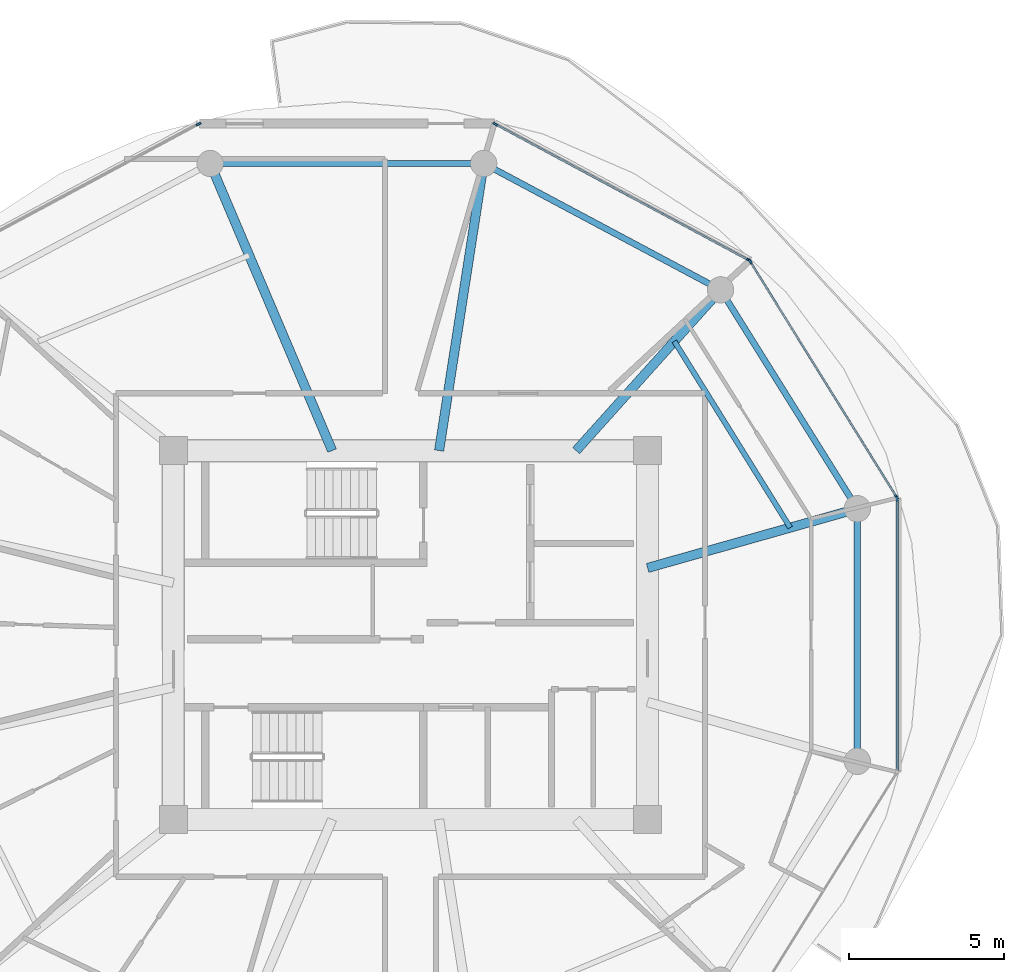
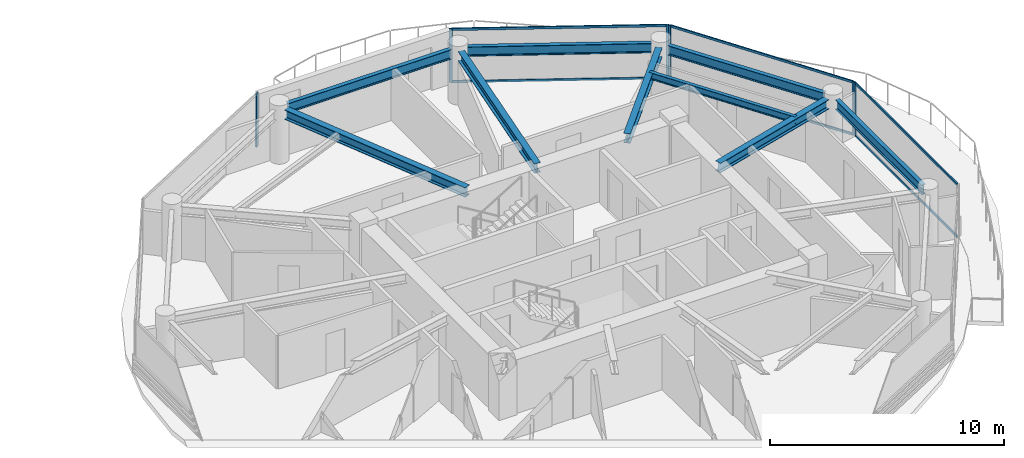
# One storey, part 11 of 24: 12 members, 9 beams, 4 elements without a shape of their own.
"""IFC4 building model written with IfcOpenShell, lengths in metres."""

import ifcopenshell
import ifcopenshell.guid

model = None  # the IFC model being written
_history = None  # IfcOwnerHistory: only IFC2X3 demands one
_inside = {}  # id of a spatial element -> (the spatial element, [elements in it])
_under = {}  # id of a project, library or spatial element -> (it, [spatial elements below it])
_declared = {}  # id of a project -> (the project, [libraries it declares])
_typed = {}  # id of a type object -> (the type object, [elements of that type])
_made_of = {}  # id of a material, layer set ... -> (it, [elements and type objects made of it])


def new_model(schema):
    """Start an empty IFC model of exactly this schema.

    Asked for "IFC4X3", IfcOpenShell would pick the latest addendum, in which some entities
    have other attributes; the version numbers below select the first issue.
    IFC2X3 requires an IfcOwnerHistory on every rooted entity: one is made here for all.
    """
    global model, _history
    if schema == "IFC4X3":
        model = ifcopenshell.file(schema_version=(4, 3, 0, 0))
    else:
        model = ifcopenshell.file(schema=schema)
    _inside.clear()
    _under.clear()
    _declared.clear()
    _typed.clear()
    _made_of.clear()
    _history = None
    if model.schema == "IFC2X3":
        org = make("IfcOrganization", Name="unknown")
        user = make(
            "IfcPersonAndOrganization",
            ThePerson=make("IfcPerson", FamilyName="unknown"),
            TheOrganization=org,
        )
        app = make(
            "IfcApplication",
            ApplicationDeveloper=org,
            Version="unknown",
            ApplicationFullName="unknown",
            ApplicationIdentifier="unknown",
        )
        _history = make(
            "IfcOwnerHistory",
            OwningUser=user,
            OwningApplication=app,
            ChangeAction="ADDED",
            CreationDate=0,
        )
    return model


def make(cls, **values):
    """One entity of the class cls with the attributes given. An attribute that is None is left unset."""
    return model.create_entity(
        cls, **{name: value for name, value in values.items() if value is not None}
    )


def rooted(cls, **values):
    """An entity with a GlobalId (a new one), such as an element, a storey or a relation."""
    return make(cls, GlobalId=ifcopenshell.guid.new(), OwnerHistory=_history, **values)


def si_unit(unit_type, name, prefix=None):
    """IfcSIUnit, for example si_unit("LENGTHUNIT", "METRE", prefix="MILLI")."""
    return make("IfcSIUnit", UnitType=unit_type, Prefix=prefix, Name=name)


def assignment(units):
    """IfcUnitAssignment: the units of a project."""
    return None if units is None else make("IfcUnitAssignment", Units=units)


def point(xyz):
    """IfcCartesianPoint."""
    return None if xyz is None else make("IfcCartesianPoint", Coordinates=xyz)


def direction(xyz):
    """IfcDirection."""
    return None if xyz is None else make("IfcDirection", DirectionRatios=xyz)


def frame(location, z_axis=None, x_axis=None):
    """IfcAxis2Placement3D, a coordinate frame: its origin and axes. An axis left out is left unset."""
    return make(
        "IfcAxis2Placement3D",
        Location=point(location),
        Axis=direction(z_axis),
        RefDirection=direction(x_axis),
    )


def frame_2d(location, x_axis=None):
    """IfcAxis2Placement2D, a coordinate frame in the plane: its origin and x axis."""
    return make(
        "IfcAxis2Placement2D", Location=point(location), RefDirection=direction(x_axis)
    )


def origin():
    """The frame at (0, 0, 0) with its axes left unset."""
    return frame((0.0, 0.0, 0.0))


def origin_2d():
    """The frame at (0, 0) in the plane with its x axis left unset."""
    return frame_2d((0.0, 0.0))


def place(relative_to, where):
    """IfcLocalPlacement: puts the frame where relative to a parent placement (None: the world)."""
    return make(
        "IfcLocalPlacement", PlacementRelTo=relative_to, RelativePlacement=where
    )


def context(
    kind, dimensions, precision=None, world=None, true_north=None, identifier=None
):
    """IfcGeometricRepresentationContext, for example the 3D "Model" context."""
    return make(
        "IfcGeometricRepresentationContext",
        ContextIdentifier=identifier,
        ContextType=kind,
        CoordinateSpaceDimension=dimensions,
        Precision=precision,
        WorldCoordinateSystem=world,
        TrueNorth=true_north,
    )


def subcontext(parent, identifier, kind, view, scale=None):
    """IfcGeometricRepresentationSubContext, for example "Body" below "Model"."""
    return make(
        "IfcGeometricRepresentationSubContext",
        ContextIdentifier=identifier,
        ContextType=kind,
        ParentContext=parent,
        TargetScale=scale,
        TargetView=view,
    )


def project(units=None, contexts=None):
    """IfcProject with its units and contexts."""
    return rooted(
        "IfcProject",
        Name="project",
        RepresentationContexts=contexts,
        UnitsInContext=assignment(units),
    )


def spatial(cls, under=None, at=None, **own):
    """A site, building, storey or space (cls), placed at a placement, below another one or the project."""
    s = rooted(cls, ObjectPlacement=at, **own)
    if under is not None:
        _under.setdefault(under.id(), (under, []))[1].append(s)
    return s


def profile(cls, at=None, kind="AREA", **sizes):
    """A parametric profile (cls). Its sizes go by their IFC names, for example OverallWidth=200.0."""
    return make(cls, ProfileType=kind, Position=at, **sizes)


def rectangle(**sizes):
    """IfcRectangleProfileDef."""
    return profile("IfcRectangleProfileDef", **sizes)


def i_section(**sizes):
    """IfcIShapeProfileDef."""
    return profile("IfcIShapeProfileDef", **sizes)


def extrude(swept, where, along, depth):
    """IfcExtrudedAreaSolid: the profile swept, set in the frame where, extruded along a direction by depth."""
    return make(
        "IfcExtrudedAreaSolid",
        SweptArea=swept,
        Position=where,
        ExtrudedDirection=direction(along),
        Depth=depth,
    )


def shape(context_of_items, identifier, shape_type, items):
    """IfcShapeRepresentation: the items that make up one representation, for example the "Body"."""
    return make(
        "IfcShapeRepresentation",
        ContextOfItems=context_of_items,
        RepresentationIdentifier=identifier,
        RepresentationType=shape_type,
        Items=items,
    )


def source(mapping_origin, context_of_items, identifier, shape_type, items):
    """IfcRepresentationMap: a shape defined once, which mapped items show again and again."""
    return make(
        "IfcRepresentationMap",
        MappingOrigin=mapping_origin,
        MappedRepresentation=shape(context_of_items, identifier, shape_type, items),
    )


def transform(
    local_origin,
    x_axis=None,
    y_axis=None,
    z_axis=None,
    scale=None,
    scale2=None,
    scale3=None,
    uniform=True,
):
    """IfcCartesianTransformationOperator3D, or its non-uniform kind. x_axis, y_axis, z_axis: its Axis1, 2, 3."""
    if uniform:
        return make(
            "IfcCartesianTransformationOperator3D",
            Axis1=direction(x_axis),
            Axis2=direction(y_axis),
            LocalOrigin=point(local_origin),
            Scale=scale,
            Axis3=direction(z_axis),
        )
    return make(
        "IfcCartesianTransformationOperator3DnonUniform",
        Axis1=direction(x_axis),
        Axis2=direction(y_axis),
        LocalOrigin=point(local_origin),
        Scale=scale,
        Axis3=direction(z_axis),
        Scale2=scale2,
        Scale3=scale3,
    )


def mapped(mapping_source, mapping_target):
    """IfcMappedItem: shows the shape of a source again, moved by a transform."""
    return make(
        "IfcMappedItem", MappingSource=mapping_source, MappingTarget=mapping_target
    )


def material(Name=None, Category=None):
    """IfcMaterial."""
    return make("IfcMaterial", Name=Name, Category=Category)


def layer(
    of_material, thickness, ventilated=None, Name=None, Category=None, Priority=None
):
    """IfcMaterialLayer: one layer of a wall or slab, of a material (None: an air gap)."""
    return make(
        "IfcMaterialLayer",
        Material=of_material,
        LayerThickness=thickness,
        IsVentilated=ventilated,
        Name=Name,
        Category=Category,
        Priority=Priority,
    )


def layer_set(layers, Name=None):
    """IfcMaterialLayerSet."""
    return make("IfcMaterialLayerSet", MaterialLayers=layers, LayerSetName=Name)


def material_profile(
    of_material, cross_section, Name=None, Category=None, Priority=None
):
    """IfcMaterialProfile: a cross section and its material."""
    return make(
        "IfcMaterialProfile",
        Name=Name,
        Material=of_material,
        Profile=cross_section,
        Priority=Priority,
        Category=Category,
    )


def profile_set(profiles, Name=None, composite=None):
    """IfcMaterialProfileSet."""
    return make(
        "IfcMaterialProfileSet",
        Name=Name,
        MaterialProfiles=profiles,
        CompositeProfile=composite,
    )


def made_of(thing, what):
    """Note that an element or type object is made of a material, layer set ...; save() writes the relation."""
    if what is not None:
        _made_of.setdefault(what.id(), (what, []))[1].append(thing)
    return thing


def type_object(cls, material=None, **own):
    """A type object (cls), such as IfcWallType, which elements share."""
    return made_of(rooted(cls, **own), material)


def type_shapes(of_type, sources):
    """Give a type object the sources (RepresentationMaps) that its elements show as mapped items."""
    of_type.RepresentationMaps = sources


def element(
    cls,
    number,
    at=None,
    inside=None,
    cuts=None,
    type_object=None,
    material=None,
    context=None,
    identifier="Body",
    shape_type=None,
    held_by="IfcProductDefinitionShape",
    body=None,
    shapes=None,
    **own,
):
    """One element of the class cls, such as IfcWall. Its Tag is "e" and its number.

    at: its placement. inside: the storey or other place that contains it. cuts: it is an
    opening in that element (IfcRelVoidsElement). A single representation is given by context,
    identifier, shape_type and body (its items); several are given by shapes. held_by: the class
    of the entity that holds the representations. save() writes the other relations.
    """
    e = rooted(cls, Tag="e%d" % number, ObjectPlacement=at, **own)
    if body is not None:
        shapes = [shape(context, identifier, shape_type, body)]
    if shapes is not None:
        e.Representation = make(held_by, Representations=shapes)
    if inside is not None:
        _inside.setdefault(inside.id(), (inside, []))[1].append(e)
    if cuts is not None:
        rooted(
            "IfcRelVoidsElement", RelatingBuildingElement=cuts, RelatedOpeningElement=e
        )
    if type_object is not None:
        _typed.setdefault(type_object.id(), (type_object, []))[1].append(e)
    return made_of(e, material)


def aggregate(whole, parts):
    """IfcRelAggregates: a whole, such as a stair, and the parts it consists of."""
    return rooted("IfcRelAggregates", RelatingObject=whole, RelatedObjects=parts)


def save(model, path):
    """Write the relations noted so far, then the file.

    IfcRelAggregates (storeys below a building ...), IfcRelContainedInSpatialStructure (elements
    in a storey), IfcRelDefinesByType, IfcRelAssociatesMaterial and IfcRelDeclares: one each for
    every whole, place, type object, material and project.
    """
    for whole, parts in _under.values():
        aggregate(whole, parts)
    for where, things in _inside.values():
        rooted(
            "IfcRelContainedInSpatialStructure",
            RelatedElements=things,
            RelatingStructure=where,
        )
    for kind, things in _typed.values():
        rooted("IfcRelDefinesByType", RelatedObjects=things, RelatingType=kind)
    for what, things in _made_of.values():
        rooted("IfcRelAssociatesMaterial", RelatedObjects=things, RelatingMaterial=what)
    for by, libraries in _declared.values():
        rooted("IfcRelDeclares", RelatingContext=by, RelatedDefinitions=libraries)
    model.write(path)


model = new_model("IFC4")

# Units and contexts
model_context = context("Model", 3, precision=1e-05, world=origin(), true_north=direction((0.0, 1.0)))
body_context = subcontext(model_context, "Body", "Model", "MODEL_VIEW")
ifc_project = project(units=[si_unit("LENGTHUNIT", "METRE"), si_unit("AREAUNIT", "SQUARE_METRE"), si_unit("VOLUMEUNIT", "CUBIC_METRE"), si_unit("PLANEANGLEUNIT", "RADIAN"), si_unit("MASSUNIT", "GRAM", prefix="KILO")], contexts=[model_context])

# Site, building, storey
site_placement = place(None, origin())
site = spatial("IfcSite", under=ifc_project, at=site_placement, CompositionType="ELEMENT")
building_placement = place(site_placement, origin())
building = spatial("IfcBuilding", under=site, at=building_placement, Name="Norrkilde Senior Care Towers", CompositionType="ELEMENT")
storey_placement = place(building_placement, frame((0.0, 0.0, 108.449951171875)))
storey = spatial("IfcBuildingStorey", under=building, at=storey_placement, Name="L33", CompositionType="ELEMENT", Elevation=108.449951171875)

# Beams
ifc_material_1 = material(Name="Steel S355", Category="steel")
ifc_material_profile_1 = material_profile(ifc_material_1, i_section(OverallWidth=0.199951171875, OverallDepth=0.5, WebThickness=0.01025390625, FlangeThickness=0.01611328125, FilletRadius=0.02099609375, at=origin_2d()), Name="IPE 500")
ifc_profile_set_1 = profile_set([ifc_material_profile_1], Name="Steel S355")
beam_type_1 = type_object("IfcBeamType", Name="Perimeter Ring Spandrel Z2 IPE500", PredefinedType="SPANDREL", material=ifc_profile_set_1)
shared_shape_1 = source(origin(), body_context, "Body", "SweptSolid", [
    extrude(i_section(OverallWidth=0.199951171875, OverallDepth=0.5, WebThickness=0.01025390625, FlangeThickness=0.01611328125, FilletRadius=0.02099609375, at=origin_2d()), origin(), (0.0, 0.0, 1.0), 7.892333984375),
])
beam_1_placement = place(storey_placement, frame((37.66650390625, 11.318115234375, 2.5400390625), z_axis=(-0.882350372282, 0.47059305194, 0.0), x_axis=(-0.47059305194, -0.882350372282, 0.0)))
element("IfcBeam", 1, at=beam_1_placement, inside=storey, type_object=beam_type_1, Name="L33 Drum E Perimeter Spandrel 02", PredefinedType="SPANDREL", context=body_context, shape_type="MappedRepresentation", body=[
    mapped(shared_shape_1, transform((0.0, 0.0, 0.0), x_axis=(1.0, 0.0, 0.0), y_axis=(0.0, 1.0, 0.0), z_axis=(0.0, 0.0, 1.0), scale=1.0)),
])
shared_shape_2 = source(origin(), body_context, "Body", "SweptSolid", [
    extrude(i_section(OverallWidth=0.199951171875, OverallDepth=0.5, WebThickness=0.01025390625, FlangeThickness=0.01611328125, FilletRadius=0.02099609375, at=origin_2d()), origin(), (0.0, 0.0, 1.0), 8.0556640625),
])
beam_2_placement = place(storey_placement, frame((29.977783203125, 15.21337890625, 2.5400390625), z_axis=(-1.0, 0.0, 0.0), x_axis=(0.0, -1.0, 0.0)))
element("IfcBeam", 2, at=beam_2_placement, inside=storey, type_object=beam_type_1, Name="L33 Drum E Perimeter Spandrel 03", PredefinedType="SPANDREL", context=body_context, shape_type="MappedRepresentation", body=[
    mapped(shared_shape_2, transform((0.0, 0.0, 0.0), x_axis=(1.0, 0.0, 0.0), y_axis=(0.0, 1.0, 0.0), z_axis=(0.0, 0.0, 1.0), scale=1.0)),
])
ifc_material_profile_2 = material_profile(ifc_material_1, i_section(OverallWidth=0.300048828125, OverallDepth=0.5, WebThickness=0.014404296875, FlangeThickness=0.028076171875, FilletRadius=0.027099609375, at=origin_2d()), Name="HEB 500")
ifc_profile_set_2 = profile_set([ifc_material_profile_2], Name="Steel S355")
beam_type_2 = type_object("IfcBeamType", Name="Radial Floor Beam Z2 HEB500", PredefinedType="BEAM", material=ifc_profile_set_2)
shared_shape_3 = source(origin(), body_context, "Body", "SweptSolid", [
    extrude(i_section(OverallWidth=0.300048828125, OverallDepth=0.5, WebThickness=0.014404296875, FlangeThickness=0.028076171875, FilletRadius=0.027099609375, at=origin_2d()), origin(), (0.0, 0.0, 1.0), 9.679443359375),
])
beam_3_placement = place(storey_placement, frame((25.472412109375, 5.949951171875, 2.5400390625), z_axis=(-0.390998033479, 0.920391513333, 0.0), x_axis=(-0.920391513333, -0.390998033479, 0.0)))
element("IfcBeam", 3, at=beam_3_placement, inside=storey, type_object=beam_type_2, Name="L33 Drum E Radial Floor Beam 04", PredefinedType="BEAM", context=body_context, shape_type="MappedRepresentation", body=[
    mapped(shared_shape_3, transform((0.0, 0.0, 0.0), x_axis=(1.0, 0.0, 0.0), y_axis=(0.0, 1.0, 0.0), z_axis=(0.0, 0.0, 1.0), scale=1.0)),
])
shared_shape_4 = source(origin(), body_context, "Body", "SweptSolid", [
    extrude(i_section(OverallWidth=0.300048828125, OverallDepth=0.5, WebThickness=0.014404296875, FlangeThickness=0.028076171875, FilletRadius=0.027099609375, at=origin_2d()), origin(), (0.0, 0.0, 1.0), 8.989501953125),
])
beam_4_placement = place(storey_placement, frame((28.924072265625, 5.949951171875, 2.5400390625), z_axis=(0.153471298636, 0.988153105796, 0.0), x_axis=(-0.988153105796, 0.153471298636, 0.0)))
element("IfcBeam", 4, at=beam_4_placement, inside=storey, type_object=beam_type_2, Name="L33 Drum E Radial Floor Beam 03", PredefinedType="BEAM", context=body_context, shape_type="MappedRepresentation", body=[
    mapped(shared_shape_4, transform((0.0, 0.0, 0.0), x_axis=(1.0, 0.0, 0.0), y_axis=(0.0, 1.0, 0.0), z_axis=(0.0, 0.0, 1.0), scale=1.0)),
])
shared_shape_5 = source(origin(), body_context, "Body", "SweptSolid", [
    extrude(i_section(OverallWidth=0.199951171875, OverallDepth=0.5, WebThickness=0.01025390625, FlangeThickness=0.01611328125, FilletRadius=0.02099609375, at=origin_2d()), origin(), (0.0, 0.0, 1.0), 7.556396484375),
])
beam_5_placement = place(storey_placement, frame((42.215087890625, 4.40283203125, 2.5400390625), z_axis=(-0.530004748437, 0.847994673706, 0.0), x_axis=(-0.847994673706, -0.530004748437, 0.0)))
element("IfcBeam", 5, at=beam_5_placement, inside=storey, type_object=beam_type_1, Name="L33 Drum E Perimeter Spandrel 01", PredefinedType="SPANDREL", context=body_context, shape_type="MappedRepresentation", body=[
    mapped(shared_shape_5, transform((0.0, 0.0, 0.0), x_axis=(1.0, 0.0, 0.0), y_axis=(0.0, 1.0, 0.0), z_axis=(0.0, 0.0, 1.0), scale=1.0)),
])
shared_shape_6 = source(origin(), body_context, "Body", "SweptSolid", [
    extrude(i_section(OverallWidth=0.300048828125, OverallDepth=0.5, WebThickness=0.014404296875, FlangeThickness=0.028076171875, FilletRadius=0.027099609375, at=origin_2d()), origin(), (0.0, 0.0, 1.0), 6.587890625),
])
beam_6_placement = place(storey_placement, frame((33.345947265625, 5.949951171875, 2.5400390625), z_axis=(0.668315438605, 0.743877997068, 0.0), x_axis=(-0.743877997068, 0.668315438605, 0.0)))
element("IfcBeam", 6, at=beam_6_placement, inside=storey, type_object=beam_type_2, Name="L33 Drum E Radial Floor Beam 02", PredefinedType="BEAM", context=body_context, shape_type="MappedRepresentation", body=[
    mapped(shared_shape_6, transform((0.0, 0.0, 0.0), x_axis=(1.0, 0.0, 0.0), y_axis=(0.0, 1.0, 0.0), z_axis=(0.0, 0.0, 1.0), scale=1.0)),
])
shared_shape_7 = source(origin(), body_context, "Body", "SweptSolid", [
    extrude(i_section(OverallWidth=0.199951171875, OverallDepth=0.5, WebThickness=0.01025390625, FlangeThickness=0.01611328125, FilletRadius=0.02099609375, at=origin_2d()), origin(), (0.0, 0.0, 1.0), 7.3828125),
])
type_shapes(beam_type_1, [shared_shape_1, shared_shape_2, shared_shape_5, shared_shape_7])
beam_7_placement = place(storey_placement, frame((42.4189453125, -3.69140625, 2.5400390625), z_axis=(0.0, 1.0, 0.0), x_axis=(-1.0, 0.0, 0.0)))
element("IfcBeam", 7, at=beam_7_placement, inside=storey, type_object=beam_type_1, Name="L33 Drum E Perimeter Spandrel 12", PredefinedType="SPANDREL", context=body_context, shape_type="MappedRepresentation", body=[
    mapped(shared_shape_7, transform((0.0, 0.0, 0.0), x_axis=(1.0, 0.0, 0.0), y_axis=(0.0, 1.0, 0.0), z_axis=(0.0, 0.0, 1.0), scale=1.0)),
])
shared_shape_8 = source(origin(), body_context, "Body", "SweptSolid", [
    extrude(i_section(OverallWidth=0.300048828125, OverallDepth=0.5, WebThickness=0.014404296875, FlangeThickness=0.028076171875, FilletRadius=0.027099609375, at=origin_2d()), origin(), (0.0, 0.0, 1.0), 6.6494140625),
])
type_shapes(beam_type_2, [shared_shape_3, shared_shape_4, shared_shape_6, shared_shape_8])
beam_8_placement = place(storey_placement, frame((35.64990234375, 2.162841796875, 2.5400390625), z_axis=(0.962289138357, 0.27202870106, 0.0), x_axis=(-0.27202870106, 0.962289138357, 0.0)))
element("IfcBeam", 8, at=beam_8_placement, inside=storey, type_object=beam_type_2, Name="L33 Drum E Radial Floor Beam 01", PredefinedType="BEAM", context=body_context, shape_type="MappedRepresentation", body=[
    mapped(shared_shape_8, transform((0.0, 0.0, 0.0), x_axis=(1.0, 0.0, 0.0), y_axis=(0.0, 1.0, 0.0), z_axis=(0.0, 0.0, 1.0), scale=1.0)),
])
ifc_material_profile_3 = material_profile(ifc_material_1, i_section(OverallWidth=0.169921875, OverallDepth=0.360107421875, WebThickness=0.008056640625, FlangeThickness=0.0126953125, FilletRadius=0.01806640625, at=origin_2d()), Name="IPE 360")
ifc_profile_set_3 = profile_set([ifc_material_profile_3], Name="Steel S355")
beam_type_3 = type_object("IfcBeamType", Name="Secondary Floor Joist IPE360", PredefinedType="JOIST", material=ifc_profile_set_3)
shared_shape_9 = source(origin(), body_context, "Body", "SweptSolid", [
    extrude(i_section(OverallWidth=0.169921875, OverallDepth=0.360107421875, WebThickness=0.008056640625, FlangeThickness=0.0126953125, FilletRadius=0.01806640625, at=origin_2d()), origin(), (0.0, 0.0, 1.0), 7.080078125),
])
type_shapes(beam_type_3, [shared_shape_9])
beam_9_placement = place(storey_placement, frame((40.2529296875, 3.464111328125, 2.610107421875), z_axis=(-0.527961009189, 0.849268610497, 0.0), x_axis=(-0.849268610497, -0.527961009189, 0.0)))
element("IfcBeam", 9, at=beam_9_placement, inside=storey, type_object=beam_type_3, Name="L33 Drum E Secondary Floor Joist 1", PredefinedType="JOIST", context=body_context, shape_type="MappedRepresentation", body=[
    mapped(shared_shape_9, transform((0.0, 0.0, 0.0), x_axis=(1.0, 0.0, 0.0), y_axis=(0.0, 1.0, 0.0), z_axis=(0.0, 0.0, 1.0), scale=1.0)),
])

# Curtain wall, members
ifc_material_2 = material(Name="Triple Low-E Insulated Glazing", Category="glass")
ifc_layer = layer(ifc_material_2, 0.195068359375)
ifc_layer_set = layer_set([ifc_layer], Name="Triple Low-E Insulated Glazing")
curtain_wall_type = type_object("IfcCurtainWallType", Name="CW3 Zone 2 Assisted Living Curtain Wall", PredefinedType="NOTDEFINED", material=ifc_layer_set)
curtain_wall_1_placement = place(storey_placement, origin())
curtain_wall_1 = element("IfcCurtainWall", 10, at=curtain_wall_1_placement, inside=storey, type_object=curtain_wall_type, Name="L33 Drum E Curtain Wall 00", PredefinedType="NOTDEFINED")
ifc_material_3 = material(Name="Anodised Aluminium", Category="aluminium")
ifc_material_profile_4 = material_profile(ifc_material_3, rectangle(XDim=0.06494140625, YDim=0.159912109375, at=origin_2d()), Name="ALU MULL 65x160")
ifc_profile_set_4 = profile_set([ifc_material_profile_4], Name="Anodised Aluminium")
member_type_1 = type_object("IfcMemberType", Name="Curtain Wall Mullion Z1-Z2 65x160", PredefinedType="MULLION", material=ifc_profile_set_4)
shared_shape_10 = source(origin(), body_context, "Body", "SweptSolid", [
    extrude(rectangle(XDim=0.06494140625, YDim=0.159912109375, at=origin_2d()), origin(), (0.0, 0.0, 1.0), 2.7900390625),
])
type_shapes(member_type_1, [shared_shape_10])
member_1_placement = place(storey_placement, frame((38.9638671875, 12.0498046875, 0.0), z_axis=(0.0, 0.0, 1.0), x_axis=(0.849410171862, 0.527733228002, 0.0)))
member_1 = element("IfcMember", 11, at=member_1_placement, type_object=member_type_1, Name="CW-3 mullion 1", PredefinedType="MULLION", context=body_context, shape_type="MappedRepresentation", body=[
    mapped(shared_shape_10, transform((0.0, 0.0, 0.0), x_axis=(1.0, 0.0, 0.0), y_axis=(0.0, 1.0, 0.0), z_axis=(0.0, 0.0, 1.0), scale=1.0)),
])
member_2_placement = place(storey_placement, frame((43.6865234375, 4.4482421875, 0.0), z_axis=(0.0, 0.0, 1.0), x_axis=(0.849410171862, 0.527733228002, 0.0)))
member_2 = element("IfcMember", 12, at=member_2_placement, type_object=member_type_1, Name="CW-3 mullion 2", PredefinedType="MULLION", context=body_context, shape_type="MappedRepresentation", body=[
    mapped(shared_shape_10, transform((0.0, 0.0, 0.0), x_axis=(1.0, 0.0, 0.0), y_axis=(0.0, 1.0, 0.0), z_axis=(0.0, 0.0, 1.0), scale=1.0)),
])

curtain_wall_2_placement = place(storey_placement, origin())
curtain_wall_2 = element("IfcCurtainWall", 13, at=curtain_wall_2_placement, inside=storey, type_object=curtain_wall_type, Name="L33 Drum E Curtain Wall 01", PredefinedType="NOTDEFINED")
member_3_placement = place(storey_placement, frame((30.73583984375, 16.482666015625, 0.0), z_axis=(0.0, 0.0, 1.0), x_axis=(0.472769402511, 0.881186184668, 0.0)))
member_3 = element("IfcMember", 14, at=member_3_placement, type_object=member_type_1, Name="CW-3 mullion 1", PredefinedType="MULLION", context=body_context, shape_type="MappedRepresentation", body=[
    mapped(shared_shape_10, transform((0.0, 0.0, 0.0), x_axis=(1.0, 0.0, 0.0), y_axis=(0.0, 1.0, 0.0), z_axis=(0.0, 0.0, 1.0), scale=1.0)),
])
member_4_placement = place(storey_placement, frame((38.91796875, 12.0927734375, 0.0), z_axis=(0.0, 0.0, 1.0), x_axis=(0.472769402511, 0.881186184668, 0.0)))
member_4 = element("IfcMember", 15, at=member_4_placement, type_object=member_type_1, Name="CW-3 mullion 2", PredefinedType="MULLION", context=body_context, shape_type="MappedRepresentation", body=[
    mapped(shared_shape_10, transform((0.0, 0.0, 0.0), x_axis=(1.0, 0.0, 0.0), y_axis=(0.0, 1.0, 0.0), z_axis=(0.0, 0.0, 1.0), scale=1.0)),
])

# Curtain wall, member
curtain_wall_3_placement = place(storey_placement, origin())
curtain_wall_3 = element("IfcCurtainWall", 16, at=curtain_wall_3_placement, inside=storey, type_object=curtain_wall_type, Name="L33 Drum E Curtain Wall 03", PredefinedType="NOTDEFINED")
member_5_placement = place(storey_placement, frame((21.164306640625, 16.482666015625, 0.0), z_axis=(0.0, 0.0, 1.0), x_axis=(-0.472769402511, 0.881186184668, 0.0)))
member_5 = element("IfcMember", 17, at=member_5_placement, type_object=member_type_1, Name="CW-3 mullion 2", PredefinedType="MULLION", context=body_context, shape_type="MappedRepresentation", body=[
    mapped(shared_shape_10, transform((0.0, 0.0, 0.0), x_axis=(1.0, 0.0, 0.0), y_axis=(0.0, 1.0, 0.0), z_axis=(0.0, 0.0, 1.0), scale=1.0)),
])
aggregate(curtain_wall_3, [member_5])

curtain_wall_4_placement = place(storey_placement, origin())
curtain_wall_4 = element("IfcCurtainWall", 18, at=curtain_wall_4_placement, inside=storey, type_object=curtain_wall_type, Name="L33 Drum E Curtain Wall 11", PredefinedType="NOTDEFINED")
member_6_placement = place(storey_placement, frame((43.70361328125, 4.38818359375, 0.0), z_axis=(0.0, 0.0, 1.0), x_axis=(1.0, 0.0, 0.0)))
member_6 = element("IfcMember", 19, at=member_6_placement, type_object=member_type_1, Name="CW-3 mullion 1", PredefinedType="MULLION", context=body_context, shape_type="MappedRepresentation", body=[
    mapped(shared_shape_10, transform((0.0, 0.0, 0.0), x_axis=(1.0, 0.0, 0.0), y_axis=(0.0, 1.0, 0.0), z_axis=(0.0, 0.0, 1.0), scale=1.0)),
])

# Member
ifc_material_profile_5 = material_profile(ifc_material_3, rectangle(XDim=0.06005859375, YDim=0.1201171875, at=origin_2d()), Name="ALU TRAN 60x120")
ifc_profile_set_5 = profile_set([ifc_material_profile_5], Name="Anodised Aluminium")
member_type_2 = type_object("IfcMemberType", Name="Curtain Wall Transom Typical 60x120", PredefinedType="USERDEFINED", material=ifc_profile_set_5)
shared_shape_11 = source(origin(), body_context, "Body", "SweptSolid", [
    extrude(rectangle(XDim=0.06005859375, YDim=0.1201171875, at=origin_2d()), origin(), (0.0, 0.0, 1.0), 8.88427734375),
])
member_7_placement = place(storey_placement, frame((38.98095703125, 12.022216796875, 0.030029296875), z_axis=(0.527729466743, -0.849412508697, 0.0), x_axis=(0.849412508697, 0.527729466743, 0.0)))
member_7 = element("IfcMember", 20, at=member_7_placement, type_object=member_type_2, Name="CW-3 transom 1.1", ObjectType="TRANSOM", PredefinedType="USERDEFINED", context=body_context, shape_type="MappedRepresentation", body=[
    mapped(shared_shape_11, transform((0.0, 0.0, 0.0), x_axis=(1.0, 0.0, 0.0), y_axis=(0.0, 1.0, 0.0), z_axis=(0.0, 0.0, 1.0), scale=1.0)),
])

member_8_placement = place(storey_placement, frame((38.98095703125, 12.022216796875, 2.760009765625), z_axis=(0.527729466743, -0.849412508697, 0.0), x_axis=(0.849412508697, 0.527729466743, 0.0)))
member_8 = element("IfcMember", 21, at=member_8_placement, type_object=member_type_2, Name="CW-3 transom 1.2", ObjectType="TRANSOM", PredefinedType="USERDEFINED", context=body_context, shape_type="MappedRepresentation", body=[
    mapped(shared_shape_11, transform((0.0, 0.0, 0.0), x_axis=(1.0, 0.0, 0.0), y_axis=(0.0, 1.0, 0.0), z_axis=(0.0, 0.0, 1.0), scale=1.0)),
])

aggregate(curtain_wall_1, [member_1, member_2, member_7, member_8])

shared_shape_12 = source(origin(), body_context, "Body", "SweptSolid", [
    extrude(rectangle(XDim=0.06005859375, YDim=0.1201171875, at=origin_2d()), origin(), (0.0, 0.0, 1.0), 9.220458984375),
])
member_9_placement = place(storey_placement, frame((30.764404296875, 16.46728515625, 0.030029296875), z_axis=(0.881188517866, -0.472765053681, 0.0), x_axis=(0.472765053681, 0.881188517866, 0.0)))
member_9 = element("IfcMember", 22, at=member_9_placement, type_object=member_type_2, Name="CW-3 transom 1.1", ObjectType="TRANSOM", PredefinedType="USERDEFINED", context=body_context, shape_type="MappedRepresentation", body=[
    mapped(shared_shape_12, transform((0.0, 0.0, 0.0), x_axis=(1.0, 0.0, 0.0), y_axis=(0.0, 1.0, 0.0), z_axis=(0.0, 0.0, 1.0), scale=1.0)),
])

member_10_placement = place(storey_placement, frame((30.764404296875, 16.46728515625, 2.760009765625), z_axis=(0.881188517866, -0.472765053681, 0.0), x_axis=(0.472765053681, 0.881188517866, 0.0)))
member_10 = element("IfcMember", 23, at=member_10_placement, type_object=member_type_2, Name="CW-3 transom 1.2", ObjectType="TRANSOM", PredefinedType="USERDEFINED", context=body_context, shape_type="MappedRepresentation", body=[
    mapped(shared_shape_12, transform((0.0, 0.0, 0.0), x_axis=(1.0, 0.0, 0.0), y_axis=(0.0, 1.0, 0.0), z_axis=(0.0, 0.0, 1.0), scale=1.0)),
])

aggregate(curtain_wall_2, [member_3, member_4, member_9, member_10])

shared_shape_13 = source(origin(), body_context, "Body", "SweptSolid", [
    extrude(rectangle(XDim=0.06005859375, YDim=0.1201171875, at=origin_2d()), origin(), (0.0, 0.0, 1.0), 8.71142578125),
])
type_shapes(member_type_2, [shared_shape_11, shared_shape_12, shared_shape_13])
member_11_placement = place(storey_placement, frame((43.70361328125, 4.355712890625, 0.030029296875), z_axis=(0.0, -1.0, 0.0), x_axis=(1.0, 0.0, 0.0)))
member_11 = element("IfcMember", 24, at=member_11_placement, type_object=member_type_2, Name="CW-3 transom 1.1", ObjectType="TRANSOM", PredefinedType="USERDEFINED", context=body_context, shape_type="MappedRepresentation", body=[
    mapped(shared_shape_13, transform((0.0, 0.0, 0.0), x_axis=(1.0, 0.0, 0.0), y_axis=(0.0, 1.0, 0.0), z_axis=(0.0, 0.0, 1.0), scale=1.0)),
])

member_12_placement = place(storey_placement, frame((43.70361328125, 4.355712890625, 2.760009765625), z_axis=(0.0, -1.0, 0.0), x_axis=(1.0, 0.0, 0.0)))
member_12 = element("IfcMember", 25, at=member_12_placement, type_object=member_type_2, Name="CW-3 transom 1.2", ObjectType="TRANSOM", PredefinedType="USERDEFINED", context=body_context, shape_type="MappedRepresentation", body=[
    mapped(shared_shape_13, transform((0.0, 0.0, 0.0), x_axis=(1.0, 0.0, 0.0), y_axis=(0.0, 1.0, 0.0), z_axis=(0.0, 0.0, 1.0), scale=1.0)),
])

aggregate(curtain_wall_4, [member_6, member_11, member_12])

save(model, "model.ifc")
